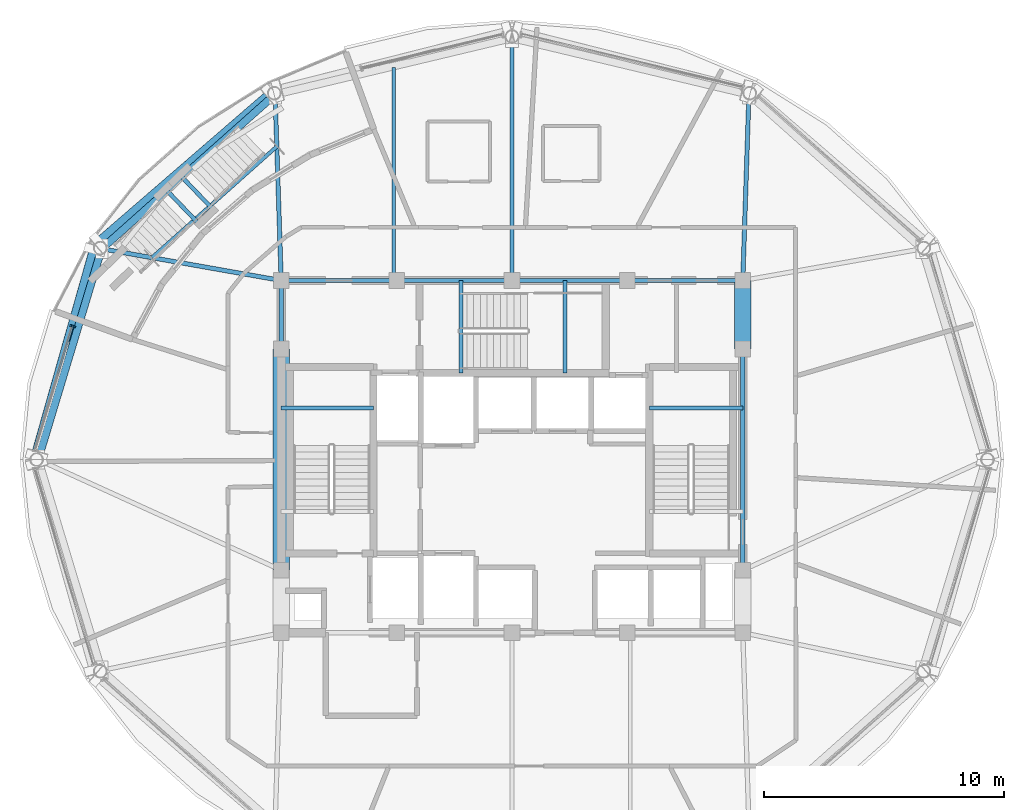
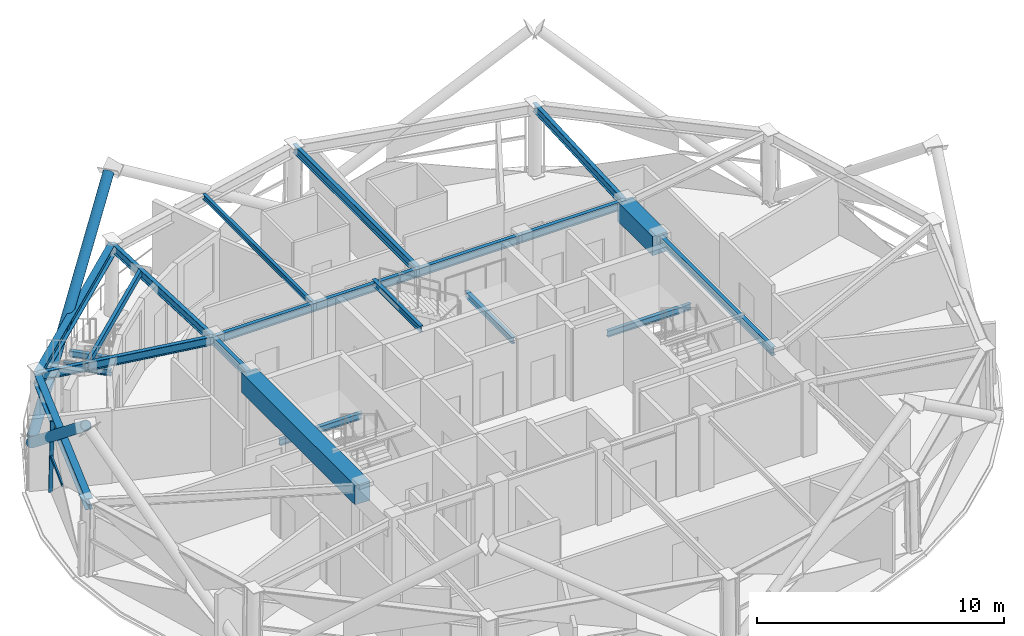
# One storey, part 3 of 16: 22 beams, 4 members, 1 element without a shape of its own.
"""IFC4 building model written with IfcOpenShell, lengths in metres."""

from ifc_helpers import new_model, si_unit, direction, frame, origin, origin_2d, place, context, subcontext, project, spatial, rectangle, hollow_rectangle, hollow_circle, i_section, extrude, material, layer, layer_set, material_profile, profile_set, type_object, element, aggregate, save


model = new_model("IFC4")

# Units and contexts
model_context = context("Model", 3, precision=1e-05, world=origin(), true_north=direction((0.0, 1.0)))
body_context = subcontext(model_context, "Body", "Model", "MODEL_VIEW")
ifc_project = project(units=[si_unit("LENGTHUNIT", "METRE"), si_unit("AREAUNIT", "SQUARE_METRE"), si_unit("VOLUMEUNIT", "CUBIC_METRE"), si_unit("PLANEANGLEUNIT", "RADIAN"), si_unit("MASSUNIT", "GRAM", prefix="KILO")], contexts=[model_context])

# Site, building, storey
site_placement = place(None, origin())
site = spatial("IfcSite", under=ifc_project, at=site_placement, CompositionType="ELEMENT")
building_placement = place(site_placement, origin())
building = spatial("IfcBuilding", under=site, at=building_placement, Name="Vantalir Tower", CompositionType="ELEMENT")
storey_placement = place(building_placement, frame((0.0, 0.0, 267.60009765625)))
storey = spatial("IfcBuildingStorey", under=building, at=storey_placement, Name="L67", CompositionType="ELEMENT", Elevation=267.60009765625)

# Beams
ifc_material_1 = material(Name="Concrete C60/75", Category="concrete")
ifc_material_profile_1 = material_profile(ifc_material_1, rectangle(XDim=0.699951171875, YDim=0.949951171875, at=origin_2d()), Name="Concrete C60/75")
ifc_profile_set_1 = profile_set([ifc_material_profile_1], Name="Concrete C60/75")
beam_type_1 = type_object("IfcBeamType", Name="BM-CB-700x950", PredefinedType="USERDEFINED", material=ifc_profile_set_1)
beam_1_placement = place(storey_placement, frame((41.10009765625, 29.60009765625, 3.094970703125), z_axis=(0.0, 1.0, 0.0), x_axis=(-1.0, 0.0, 0.0)))
element("IfcBeam", 1, at=beam_1_placement, inside=storey, type_object=beam_type_1, Name="L67 Core Coupling Girder 07", ObjectType="GIRDER", PredefinedType="USERDEFINED", context=body_context, shape_type="SweptSolid", body=[
    extrude(rectangle(XDim=0.699951171875, YDim=0.949951171875, at=origin_2d()), origin(), (0.0, 0.0, 1.0), 2.849853515625),
])
beam_2_placement = place(storey_placement, frame((21.89990234375, 29.60009765625, 3.094970703125), z_axis=(0.0, -1.0, 0.0), x_axis=(1.0, 0.0, 0.0)))
element("IfcBeam", 2, at=beam_2_placement, inside=storey, type_object=beam_type_1, Name="L67 Core Coupling Girder 13", ObjectType="GIRDER", PredefinedType="USERDEFINED", context=body_context, shape_type="SweptSolid", body=[
    extrude(rectangle(XDim=0.699951171875, YDim=0.949951171875, at=origin_2d()), origin(), (0.0, 0.0, 1.0), 9.2001953125),
])
ifc_material_2 = material(Name="Steel S355", Category="steel")
ifc_material_profile_2 = material_profile(ifc_material_2, i_section(OverallWidth=0.14599609375, OverallDepth=0.256103515625, WebThickness=0.00634765625, FlangeThickness=0.010986328125, at=origin_2d()), Name="Steel S355")
ifc_profile_set_2 = profile_set([ifc_material_profile_2], Name="Steel S355")
beam_type_2 = type_object("IfcBeamType", Name="BM-JS-254x146", PredefinedType="JOIST", material=ifc_profile_set_2)
beam_3_placement = place(storey_placement, frame((26.572021484375, 41.319091796875, 3.44189453125), z_axis=(0.0, -1.0, 0.0), x_axis=(1.0, 0.0, 0.0)))
element("IfcBeam", 3, at=beam_3_placement, inside=storey, type_object=beam_type_2, Name="L67 Composite Trim Joist 01", PredefinedType="JOIST", context=body_context, shape_type="SweptSolid", body=[
    extrude(i_section(OverallWidth=0.14599609375, OverallDepth=0.256103515625, WebThickness=0.00634765625, FlangeThickness=0.010986328125, at=origin_2d()), origin(), (0.0, 0.0, 1.0), 8.823974609375),
])
ifc_material_profile_3 = material_profile(ifc_material_2, i_section(OverallWidth=0.166015625, OverallDepth=0.306884765625, WebThickness=0.006591796875, FlangeThickness=0.01171875, at=origin_2d()), Name="Steel S355")
ifc_profile_set_3 = profile_set([ifc_material_profile_3], Name="Steel S355")
beam_type_3 = type_object("IfcBeamType", Name="BM-JS-305x165", PredefinedType="JOIST", material=ifc_profile_set_3)
beam_4_placement = place(storey_placement, frame((21.89990234375, 27.14501953125, 1.52099609375), z_axis=(1.0, 0.0, 0.0), x_axis=(0.0, 1.0, 0.0)))
element("IfcBeam", 4, at=beam_4_placement, inside=storey, type_object=beam_type_3, Name="L67 Stair ST1 Half-Landing Support Beam", PredefinedType="JOIST", context=body_context, shape_type="SweptSolid", body=[
    extrude(i_section(OverallWidth=0.166015625, OverallDepth=0.306884765625, WebThickness=0.006591796875, FlangeThickness=0.01171875, at=origin_2d()), origin(), (0.0, 0.0, 1.0), 3.840087890625),
])
beam_5_placement = place(storey_placement, frame((37.2099609375, 27.14501953125, 1.52099609375), z_axis=(1.0, 0.0, 0.0), x_axis=(0.0, 1.0, 0.0)))
element("IfcBeam", 5, at=beam_5_placement, inside=storey, type_object=beam_type_3, Name="L67 Stair ST2 Half-Landing Support Beam", PredefinedType="JOIST", context=body_context, shape_type="SweptSolid", body=[
    extrude(i_section(OverallWidth=0.166015625, OverallDepth=0.306884765625, WebThickness=0.006591796875, FlangeThickness=0.01171875, at=origin_2d()), origin(), (0.0, 0.0, 1.0), 3.89013671875),
])
for number, where, z_axis, x_axis, name in (
    (6, (29.385009765625, 28.60009765625, 3.595947265625), (0.0, 1.0, 0.0), (-1.0, 0.0, 0.0), "L68 Stair ST3 Well Nosing Trimmer Beam"),
    (7, (33.695068359375, 28.60009765625, 1.52099609375), (0.0, 1.0, 0.0), (-1.0, 0.0, 0.0), "L67 Stair ST3 Half-Landing Support Beam"),
):
    element("IfcBeam", number, at=place(storey_placement, frame(where, z_axis=z_axis, x_axis=x_axis)), inside=storey, type_object=beam_type_3, Name=name, PredefinedType="JOIST", context=body_context, shape_type="SweptSolid", body=[
        extrude(i_section(OverallWidth=0.166015625, OverallDepth=0.306884765625, WebThickness=0.006591796875, FlangeThickness=0.01171875, at=origin_2d()), origin(), (0.0, 0.0, 1.0), 3.849853515625),
    ])
for number, where, z_axis, x_axis, name in (
    (8, (17.68896484375, 36.840087890625, 1.52197265625), (0.69264948777, -0.721274349393, 0.0), (0.721274349393, 0.69264948777, 0.0), "L67 Sky Garden Stair SG4 Mid-Landing Bearer 1"),
    (9, (17.0830078125, 36.258056640625, 1.52197265625), (0.69264948777, -0.721274349393, 0.0), (0.721274349393, 0.69264948777, 0.0), "L67 Sky Garden Stair SG4 Mid-Landing Bearer 2"),
):
    element("IfcBeam", number, at=place(storey_placement, frame(where, z_axis=z_axis, x_axis=x_axis)), inside=storey, type_object=beam_type_3, Name=name, PredefinedType="JOIST", context=body_context, shape_type="SweptSolid", body=[
        extrude(i_section(OverallWidth=0.166015625, OverallDepth=0.306884765625, WebThickness=0.006591796875, FlangeThickness=0.01171875, at=origin_2d()), origin(), (0.0, 0.0, 1.0), 2.02978515625),
    ])
ifc_material_profile_4 = material_profile(ifc_material_2, i_section(OverallWidth=0.179931640625, OverallDepth=0.4130859375, WebThickness=0.009521484375, FlangeThickness=0.01611328125, at=origin_2d()), Name="Steel S355")
ifc_profile_set_4 = profile_set([ifc_material_profile_4], Name="Steel S355")
beam_type_4 = type_object("IfcBeamType", Name="BM-RB-406x178", PredefinedType="BEAM", material=ifc_profile_set_4)
beam_6_placement = place(storey_placement, frame((41.10009765625, 20.39990234375, 3.364013671875), z_axis=(0.0, 1.0, 0.0), x_axis=(-1.0, 0.0, 0.0)))
element("IfcBeam", 10, at=beam_6_placement, inside=storey, type_object=beam_type_4, Name="L67 Core Coupling Girder 06", PredefinedType="BEAM", context=body_context, shape_type="SweptSolid", body=[
    extrude(i_section(OverallWidth=0.179931640625, OverallDepth=0.4130859375, WebThickness=0.009521484375, FlangeThickness=0.01611328125, at=origin_2d()), origin(), (0.0, 0.0, 1.0), 9.2001953125),
])
for number, where, z_axis, x_axis, name in (
    (11, (41.10009765625, 32.449951171875, 3.364013671875), (-1.0, 0.0, 0.0), (0.0, -1.0, 0.0), "L67 Core Coupling Girder 08"),
    (12, (36.300048828125, 32.449951171875, 3.364013671875), (-1.0, 0.0, 0.0), (0.0, -1.0, 0.0), "L67 Core Coupling Girder 09"),
    (13, (31.5, 32.449951171875, 3.364013671875), (-1.0, 0.0, 0.0), (0.0, -1.0, 0.0), "L67 Core Coupling Girder 10"),
    (14, (26.699951171875, 32.449951171875, 3.364013671875), (-1.0, 0.0, 0.0), (0.0, -1.0, 0.0), "L67 Core Coupling Girder 11"),
):
    element("IfcBeam", number, at=place(storey_placement, frame(where, z_axis=z_axis, x_axis=x_axis)), inside=storey, type_object=beam_type_4, Name=name, PredefinedType="BEAM", context=body_context, shape_type="SweptSolid", body=[
        extrude(i_section(OverallWidth=0.179931640625, OverallDepth=0.4130859375, WebThickness=0.009521484375, FlangeThickness=0.01611328125, at=origin_2d()), origin(), (0.0, 0.0, 1.0), 4.800048828125),
    ])
beam_7_placement = place(storey_placement, frame((21.89990234375, 32.449951171875, 3.364013671875), z_axis=(0.0, -1.0, 0.0), x_axis=(1.0, 0.0, 0.0)))
element("IfcBeam", 15, at=beam_7_placement, inside=storey, type_object=beam_type_4, Name="L67 Core Coupling Girder 12", PredefinedType="BEAM", context=body_context, shape_type="SweptSolid", body=[
    extrude(i_section(OverallWidth=0.179931640625, OverallDepth=0.4130859375, WebThickness=0.009521484375, FlangeThickness=0.01611328125, at=origin_2d()), origin(), (0.0, 0.0, 1.0), 2.849853515625),
])
beam_8_placement = place(storey_placement, frame((41.35498046875, 40.18896484375, 3.364013671875), z_axis=(-0.032916945219, -0.999458090526, 0.0), x_axis=(0.999458090526, -0.032916945219, 0.0)))
element("IfcBeam", 16, at=beam_8_placement, inside=storey, type_object=beam_type_4, Name="L67 Radial Floor Beam 03", PredefinedType="BEAM", context=body_context, shape_type="SweptSolid", body=[
    extrude(i_section(OverallWidth=0.179931640625, OverallDepth=0.4130859375, WebThickness=0.009521484375, FlangeThickness=0.01611328125, at=origin_2d()), origin(), (0.0, 0.0, 1.0), 7.7431640625),
])
beam_9_placement = place(storey_placement, frame((31.5, 42.5390625, 3.364013671875), z_axis=(0.0, -1.0, 0.0), x_axis=(1.0, 0.0, 0.0)))
element("IfcBeam", 17, at=beam_9_placement, inside=storey, type_object=beam_type_4, Name="L67 Radial Floor Beam 04", PredefinedType="BEAM", context=body_context, shape_type="SweptSolid", body=[
    extrude(i_section(OverallWidth=0.179931640625, OverallDepth=0.4130859375, WebThickness=0.009521484375, FlangeThickness=0.01611328125, at=origin_2d()), origin(), (0.0, 0.0, 1.0), 10.089111328125),
])
beam_10_placement = place(storey_placement, frame((21.64501953125, 40.18896484375, 3.364013671875), z_axis=(0.032916945219, -0.999458090526, 0.0), x_axis=(0.999458090526, 0.032916945219, 0.0)))
element("IfcBeam", 18, at=beam_10_placement, inside=storey, type_object=beam_type_4, Name="L67 Radial Floor Beam 05", PredefinedType="BEAM", context=body_context, shape_type="SweptSolid", body=[
    extrude(i_section(OverallWidth=0.179931640625, OverallDepth=0.4130859375, WebThickness=0.009521484375, FlangeThickness=0.01611328125, at=origin_2d()), origin(), (0.0, 0.0, 1.0), 7.7431640625),
])
beam_11_placement = place(storey_placement, frame((14.430908203125, 33.76904296875, 3.364013671875), z_axis=(0.984760218268, -0.173917545167, 0.0), x_axis=(0.173917545167, 0.984760218268, 0.0)))
element("IfcBeam", 19, at=beam_11_placement, inside=storey, type_object=beam_type_4, Name="L67 Radial Floor Beam 06", PredefinedType="BEAM", context=body_context, shape_type="SweptSolid", body=[
    extrude(i_section(OverallWidth=0.179931640625, OverallDepth=0.4130859375, WebThickness=0.009521484375, FlangeThickness=0.01611328125, at=origin_2d()), origin(), (0.0, 0.0, 1.0), 7.58447265625),
])
ifc_material_3 = material(Name="Steel S460", Category="steel")
ifc_material_profile_5 = material_profile(ifc_material_3, i_section(OverallWidth=0.31201171875, OverallDepth=0.5419921875, WebThickness=0.0126953125, FlangeThickness=0.020263671875, at=origin_2d()), Name="Steel S460")
ifc_profile_set_5 = profile_set([ifc_material_profile_5], Name="Steel S460")
beam_type_5 = type_object("IfcBeamType", Name="BM-RG-533x312", PredefinedType="USERDEFINED", material=ifc_profile_set_5)
beam_12_placement = place(storey_placement, frame((21.64501953125, 40.18896484375, 3.298828125), z_axis=(-0.747029806683, -0.664790544402, 0.0), x_axis=(0.664790544402, -0.747029806683, 0.0)))
element("IfcBeam", 20, at=beam_12_placement, inside=storey, type_object=beam_type_5, Name="L67 Circumferential Ring Girder 05", ObjectType="GIRDER", PredefinedType="USERDEFINED", context=body_context, shape_type="SweptSolid", body=[
    extrude(i_section(OverallWidth=0.31201171875, OverallDepth=0.5419921875, WebThickness=0.0126953125, FlangeThickness=0.020263671875, at=origin_2d()), origin(), (0.0, 0.0, 1.0), 9.656982421875),
])
beam_13_placement = place(storey_placement, frame((14.430908203125, 33.76904296875, 3.298828125), z_axis=(-0.288365149324, -0.957520517094, 0.0), x_axis=(0.957520517094, -0.288365149324, 0.0)))
element("IfcBeam", 21, at=beam_13_placement, inside=storey, type_object=beam_type_5, Name="L67 Circumferential Ring Girder 06", ObjectType="GIRDER", PredefinedType="USERDEFINED", context=body_context, shape_type="SweptSolid", body=[
    extrude(i_section(OverallWidth=0.31201171875, OverallDepth=0.5419921875, WebThickness=0.0126953125, FlangeThickness=0.020263671875, at=origin_2d()), origin(), (0.0, 0.0, 1.0), 9.157958984375),
])
ifc_material_profile_6 = material_profile(ifc_material_2, hollow_rectangle(XDim=0.14990234375, YDim=0.300048828125, WallThickness=0.011962890625, at=origin_2d()), Name="Steel S355")
ifc_profile_set_6 = profile_set([ifc_material_profile_6], Name="Steel S355")
beam_type_6 = type_object("IfcBeamType", Name="BM-SP-300x150", PredefinedType="LINTEL", material=ifc_profile_set_6)
beam_14_placement = place(storey_placement, frame((21.716064453125, 38.02197265625, 3.419921875), z_axis=(-0.747044992045, -0.664773480112, 0.0), x_axis=(0.664773480112, -0.747044992045, 0.0)))
element("IfcBeam", 22, at=beam_14_placement, inside=storey, type_object=beam_type_6, Name="L67 SG4 Recessed Edge Lintel 1", PredefinedType="LINTEL", context=body_context, shape_type="SweptSolid", body=[
    extrude(hollow_rectangle(XDim=0.14990234375, YDim=0.300048828125, WallThickness=0.011962890625, at=origin_2d()), origin(), (0.0, 0.0, 1.0), 6.952880859375),
])

# Curtain wall, members
ifc_material_4 = material(Name="Champagne-silver PVDF aluminium and double-silver Low-E glass", Category="aluminium")
ifc_layer = layer(ifc_material_4, 0.219970703125)
ifc_layer_set = layer_set([ifc_layer], Name="Champagne-silver PVDF aluminium and double-silver Low-E glass")
curtain_wall_type = type_object("IfcCurtainWallType", Name="CW-DIAMOND-Z4", PredefinedType="USERDEFINED", material=ifc_layer_set)
curtain_wall_placement = place(storey_placement, origin())
curtain_wall = element("IfcCurtainWall", 23, at=curtain_wall_placement, inside=storey, type_object=curtain_wall_type, Name="L67 Quilted Pyramid-Diamond Curtain Wall S06", ObjectType="UNITISED CURTAIN WALL", PredefinedType="USERDEFINED")
ifc_material_5 = material(Name="Champagne-silver PVDF aluminium 6063-T6", Category="aluminium")
ifc_material_profile_7 = material_profile(ifc_material_5, hollow_rectangle(XDim=0.070068359375, YDim=0.1650390625, WallThickness=0.00390625, at=origin_2d()), Name="Champagne-silver PVDF aluminium 6063-T6")
ifc_profile_set_7 = profile_set([ifc_material_profile_7], Name="Champagne-silver PVDF aluminium 6063-T6")
member_type_1 = type_object("IfcMemberType", Name="CWM-165x70", PredefinedType="MULLION", material=ifc_profile_set_7)
member_1_placement = place(storey_placement, frame((13.19189453125, 30.56005859375, 0.044921875), z_axis=(0.020971448896, -0.006943723882, 0.999755961738), x_axis=(0.314322145771, 0.949316379653, 0.0)))
member_1 = element("IfcMember", 24, at=member_1_placement, type_object=member_type_1, Name="CW-L67-S06 Mullion 1", PredefinedType="MULLION", context=body_context, shape_type="SweptSolid", body=[
    extrude(hollow_rectangle(XDim=0.070068359375, YDim=0.1650390625, WallThickness=0.00390625, at=origin_2d()), origin(), (0.0, 0.0, 1.0), 3.480712890625),
])
ifc_material_profile_8 = material_profile(ifc_material_5, hollow_rectangle(XDim=0.074951171875, YDim=0.159912109375, WallThickness=0.00390625, at=origin_2d()), Name="Champagne-silver PVDF aluminium 6063-T6")
ifc_profile_set_8 = profile_set([ifc_material_profile_8], Name="Champagne-silver PVDF aluminium 6063-T6")
member_type_2 = type_object("IfcMemberType", Name="CWT-160x75", PredefinedType="USERDEFINED", material=ifc_profile_set_8)
member_2_placement = place(storey_placement, frame((13.22900390625, 30.548095703125, 1.784912109375), z_axis=(-0.299079373983, -0.954228236879, 0.0), x_axis=(0.954228236879, -0.299079373983, 0.0)))
member_2 = element("IfcMember", 25, at=member_2_placement, type_object=member_type_2, Name="CW-L67-S06 Pyramid Fold Ridge Transom", ObjectType="TRANSOM", PredefinedType="USERDEFINED", context=body_context, shape_type="SweptSolid", body=[
    extrude(hollow_rectangle(XDim=0.074951171875, YDim=0.159912109375, WallThickness=0.00390625, at=origin_2d()), origin(), (0.0, 0.0, 1.0), 2.056396484375),
])
aggregate(curtain_wall, [member_1, member_2])

# Members
ifc_material_profile_9 = material_profile(ifc_material_3, hollow_circle(Radius=0.22998046875, WallThickness=0.028076171875, at=origin_2d()), Name="Steel S460")
ifc_profile_set_9 = profile_set([ifc_material_profile_9], Name="Steel S460")
member_type_3 = type_object("IfcMemberType", Name="MEM-DB-460x28", PredefinedType="BRACE", material=ifc_profile_set_9)
member_3_placement = place(storey_placement, frame((14.14990234375, 33.73291015625, 0.21484375), z_axis=(-0.215231430304, -0.760944172071, 0.612077934908), x_axis=(0.962249151552, -0.272170112866, 0.0)))
element("IfcMember", 26, at=member_3_placement, inside=storey, type_object=member_type_3, Name="L67 Perimeter S460 Diagrid Brace R16L", PredefinedType="BRACE", context=body_context, shape_type="SweptSolid", body=[
    extrude(hollow_circle(Radius=0.22998046875, WallThickness=0.028076171875, at=origin_2d()), origin(), (0.0, 0.0, 1.0), 11.257080078125),
])
member_4_placement = place(storey_placement, frame((14.3310546875, 34.01611328125, 0.2099609375), z_axis=(0.610248892853, 0.527590111553, 0.590969511027), x_axis=(-0.654015254259, 0.756481359451, 0.0)))
element("IfcMember", 27, at=member_4_placement, inside=storey, type_object=member_type_3, Name="L67 Perimeter S460 Diagrid Brace R16R", PredefinedType="BRACE", context=body_context, shape_type="SweptSolid", body=[
    extrude(hollow_circle(Radius=0.22998046875, WallThickness=0.028076171875, at=origin_2d()), origin(), (0.0, 0.0, 1.0), 11.675537109375),
])

save(model, "model.ifc")
